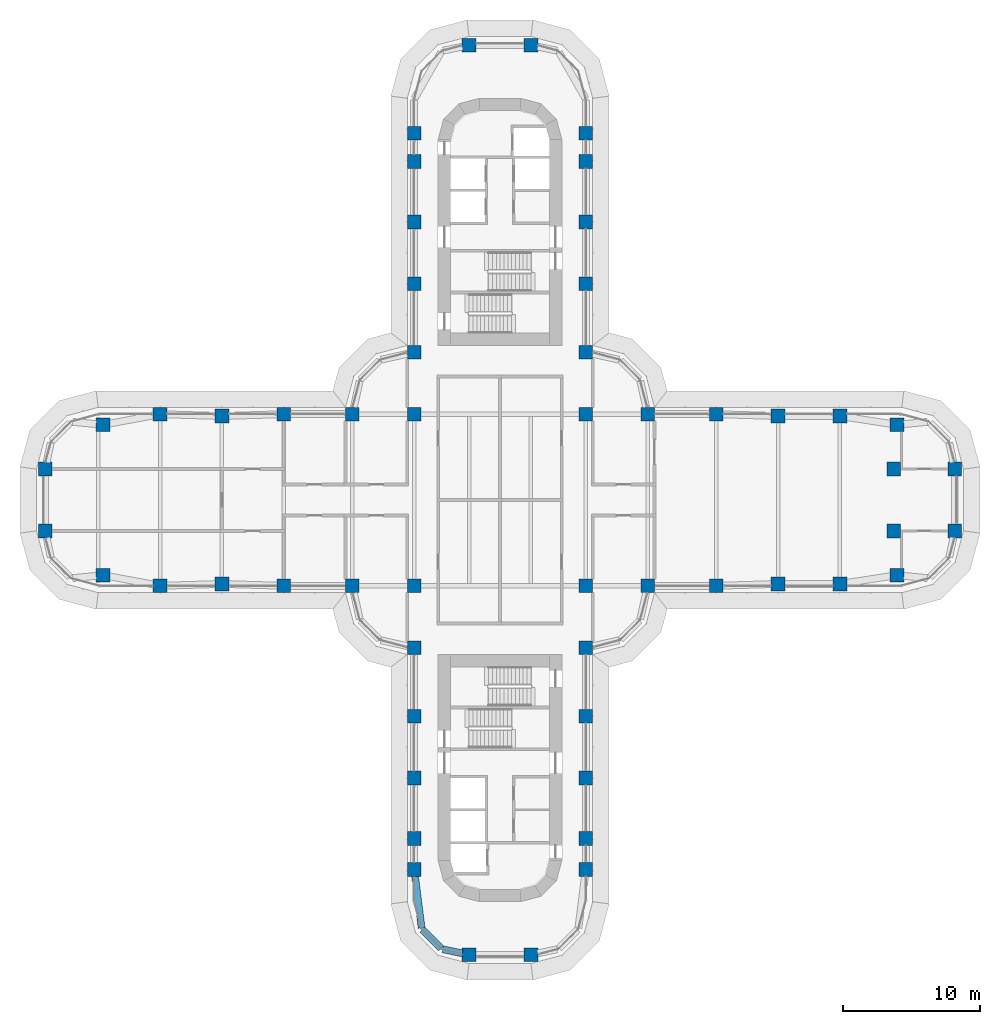
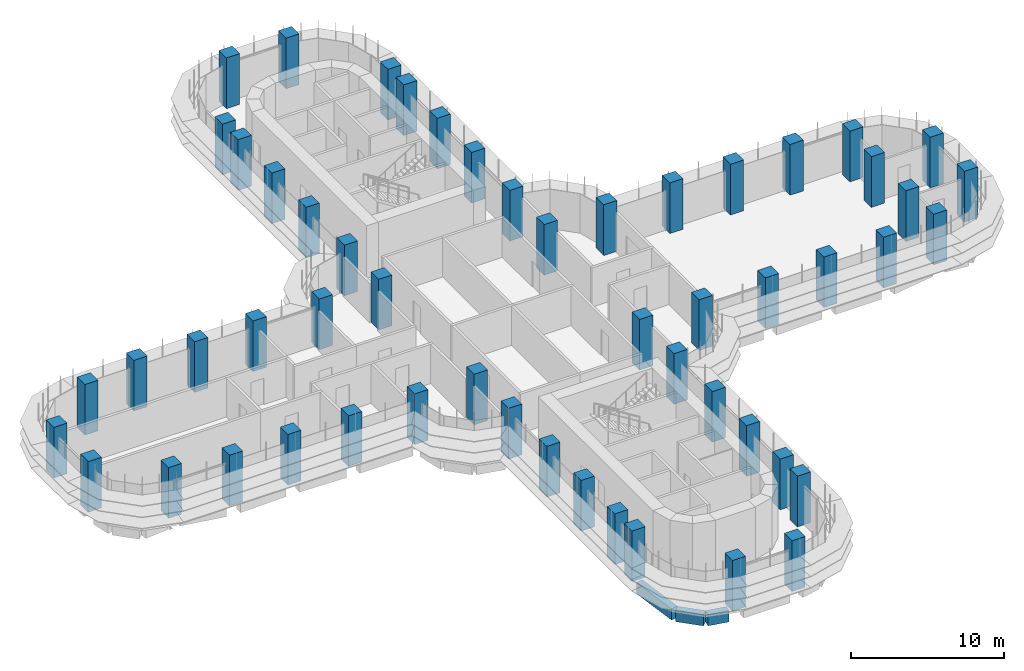
# One storey, part 1 of 23: 54 columns, 3 beams.
"""IFC4 building model written with IfcOpenShell, lengths in metres."""

import ifcopenshell
import ifcopenshell.guid

model = None  # the IFC model being written
_history = None  # IfcOwnerHistory: only IFC2X3 demands one
_inside = {}  # id of a spatial element -> (the spatial element, [elements in it])
_under = {}  # id of a project, library or spatial element -> (it, [spatial elements below it])
_declared = {}  # id of a project -> (the project, [libraries it declares])
_typed = {}  # id of a type object -> (the type object, [elements of that type])
_made_of = {}  # id of a material, layer set ... -> (it, [elements and type objects made of it])


def new_model(schema):
    """Start an empty IFC model of exactly this schema.

    Asked for "IFC4X3", IfcOpenShell would pick the latest addendum, in which some entities
    have other attributes; the version numbers below select the first issue.
    IFC2X3 requires an IfcOwnerHistory on every rooted entity: one is made here for all.
    """
    global model, _history
    if schema == "IFC4X3":
        model = ifcopenshell.file(schema_version=(4, 3, 0, 0))
    else:
        model = ifcopenshell.file(schema=schema)
    _inside.clear()
    _under.clear()
    _declared.clear()
    _typed.clear()
    _made_of.clear()
    _history = None
    if model.schema == "IFC2X3":
        org = make("IfcOrganization", Name="unknown")
        user = make(
            "IfcPersonAndOrganization",
            ThePerson=make("IfcPerson", FamilyName="unknown"),
            TheOrganization=org,
        )
        app = make(
            "IfcApplication",
            ApplicationDeveloper=org,
            Version="unknown",
            ApplicationFullName="unknown",
            ApplicationIdentifier="unknown",
        )
        _history = make(
            "IfcOwnerHistory",
            OwningUser=user,
            OwningApplication=app,
            ChangeAction="ADDED",
            CreationDate=0,
        )
    return model


def make(cls, **values):
    """One entity of the class cls with the attributes given. An attribute that is None is left unset."""
    return model.create_entity(
        cls, **{name: value for name, value in values.items() if value is not None}
    )


def rooted(cls, **values):
    """An entity with a GlobalId (a new one), such as an element, a storey or a relation."""
    return make(cls, GlobalId=ifcopenshell.guid.new(), OwnerHistory=_history, **values)


def si_unit(unit_type, name, prefix=None):
    """IfcSIUnit, for example si_unit("LENGTHUNIT", "METRE", prefix="MILLI")."""
    return make("IfcSIUnit", UnitType=unit_type, Prefix=prefix, Name=name)


def assignment(units):
    """IfcUnitAssignment: the units of a project."""
    return None if units is None else make("IfcUnitAssignment", Units=units)


def point(xyz):
    """IfcCartesianPoint."""
    return None if xyz is None else make("IfcCartesianPoint", Coordinates=xyz)


def direction(xyz):
    """IfcDirection."""
    return None if xyz is None else make("IfcDirection", DirectionRatios=xyz)


def frame(location, z_axis=None, x_axis=None):
    """IfcAxis2Placement3D, a coordinate frame: its origin and axes. An axis left out is left unset."""
    return make(
        "IfcAxis2Placement3D",
        Location=point(location),
        Axis=direction(z_axis),
        RefDirection=direction(x_axis),
    )


def frame_2d(location, x_axis=None):
    """IfcAxis2Placement2D, a coordinate frame in the plane: its origin and x axis."""
    return make(
        "IfcAxis2Placement2D", Location=point(location), RefDirection=direction(x_axis)
    )


def origin():
    """The frame at (0, 0, 0) with its axes left unset."""
    return frame((0.0, 0.0, 0.0))


def origin_2d():
    """The frame at (0, 0) in the plane with its x axis left unset."""
    return frame_2d((0.0, 0.0))


def place(relative_to, where):
    """IfcLocalPlacement: puts the frame where relative to a parent placement (None: the world)."""
    return make(
        "IfcLocalPlacement", PlacementRelTo=relative_to, RelativePlacement=where
    )


def context(
    kind, dimensions, precision=None, world=None, true_north=None, identifier=None
):
    """IfcGeometricRepresentationContext, for example the 3D "Model" context."""
    return make(
        "IfcGeometricRepresentationContext",
        ContextIdentifier=identifier,
        ContextType=kind,
        CoordinateSpaceDimension=dimensions,
        Precision=precision,
        WorldCoordinateSystem=world,
        TrueNorth=true_north,
    )


def subcontext(parent, identifier, kind, view, scale=None):
    """IfcGeometricRepresentationSubContext, for example "Body" below "Model"."""
    return make(
        "IfcGeometricRepresentationSubContext",
        ContextIdentifier=identifier,
        ContextType=kind,
        ParentContext=parent,
        TargetScale=scale,
        TargetView=view,
    )


def project(units=None, contexts=None):
    """IfcProject with its units and contexts."""
    return rooted(
        "IfcProject",
        Name="project",
        RepresentationContexts=contexts,
        UnitsInContext=assignment(units),
    )


def spatial(cls, under=None, at=None, **own):
    """A site, building, storey or space (cls), placed at a placement, below another one or the project."""
    s = rooted(cls, ObjectPlacement=at, **own)
    if under is not None:
        _under.setdefault(under.id(), (under, []))[1].append(s)
    return s


def profile(cls, at=None, kind="AREA", **sizes):
    """A parametric profile (cls). Its sizes go by their IFC names, for example OverallWidth=200.0."""
    return make(cls, ProfileType=kind, Position=at, **sizes)


def rectangle(**sizes):
    """IfcRectangleProfileDef."""
    return profile("IfcRectangleProfileDef", **sizes)


def extrude(swept, where, along, depth):
    """IfcExtrudedAreaSolid: the profile swept, set in the frame where, extruded along a direction by depth."""
    return make(
        "IfcExtrudedAreaSolid",
        SweptArea=swept,
        Position=where,
        ExtrudedDirection=direction(along),
        Depth=depth,
    )


def shape(context_of_items, identifier, shape_type, items):
    """IfcShapeRepresentation: the items that make up one representation, for example the "Body"."""
    return make(
        "IfcShapeRepresentation",
        ContextOfItems=context_of_items,
        RepresentationIdentifier=identifier,
        RepresentationType=shape_type,
        Items=items,
    )


def material(Name=None, Category=None):
    """IfcMaterial."""
    return make("IfcMaterial", Name=Name, Category=Category)


def material_profile(
    of_material, cross_section, Name=None, Category=None, Priority=None
):
    """IfcMaterialProfile: a cross section and its material."""
    return make(
        "IfcMaterialProfile",
        Name=Name,
        Material=of_material,
        Profile=cross_section,
        Priority=Priority,
        Category=Category,
    )


def profile_set(profiles, Name=None, composite=None):
    """IfcMaterialProfileSet."""
    return make(
        "IfcMaterialProfileSet",
        Name=Name,
        MaterialProfiles=profiles,
        CompositeProfile=composite,
    )


def made_of(thing, what):
    """Note that an element or type object is made of a material, layer set ...; save() writes the relation."""
    if what is not None:
        _made_of.setdefault(what.id(), (what, []))[1].append(thing)
    return thing


def type_object(cls, material=None, **own):
    """A type object (cls), such as IfcWallType, which elements share."""
    return made_of(rooted(cls, **own), material)


def element(
    cls,
    number,
    at=None,
    inside=None,
    cuts=None,
    type_object=None,
    material=None,
    context=None,
    identifier="Body",
    shape_type=None,
    held_by="IfcProductDefinitionShape",
    body=None,
    shapes=None,
    **own,
):
    """One element of the class cls, such as IfcWall. Its Tag is "e" and its number.

    at: its placement. inside: the storey or other place that contains it. cuts: it is an
    opening in that element (IfcRelVoidsElement). A single representation is given by context,
    identifier, shape_type and body (its items); several are given by shapes. held_by: the class
    of the entity that holds the representations. save() writes the other relations.
    """
    e = rooted(cls, Tag="e%d" % number, ObjectPlacement=at, **own)
    if body is not None:
        shapes = [shape(context, identifier, shape_type, body)]
    if shapes is not None:
        e.Representation = make(held_by, Representations=shapes)
    if inside is not None:
        _inside.setdefault(inside.id(), (inside, []))[1].append(e)
    if cuts is not None:
        rooted(
            "IfcRelVoidsElement", RelatingBuildingElement=cuts, RelatedOpeningElement=e
        )
    if type_object is not None:
        _typed.setdefault(type_object.id(), (type_object, []))[1].append(e)
    return made_of(e, material)


def aggregate(whole, parts):
    """IfcRelAggregates: a whole, such as a stair, and the parts it consists of."""
    return rooted("IfcRelAggregates", RelatingObject=whole, RelatedObjects=parts)


def save(model, path):
    """Write the relations noted so far, then the file.

    IfcRelAggregates (storeys below a building ...), IfcRelContainedInSpatialStructure (elements
    in a storey), IfcRelDefinesByType, IfcRelAssociatesMaterial and IfcRelDeclares: one each for
    every whole, place, type object, material and project.
    """
    for whole, parts in _under.values():
        aggregate(whole, parts)
    for where, things in _inside.values():
        rooted(
            "IfcRelContainedInSpatialStructure",
            RelatedElements=things,
            RelatingStructure=where,
        )
    for kind, things in _typed.values():
        rooted("IfcRelDefinesByType", RelatedObjects=things, RelatingType=kind)
    for what, things in _made_of.values():
        rooted("IfcRelAssociatesMaterial", RelatedObjects=things, RelatingMaterial=what)
    for by, libraries in _declared.values():
        rooted("IfcRelDeclares", RelatingContext=by, RelatedDefinitions=libraries)
    model.write(path)


model = new_model("IFC4")

# Units and contexts
model_context = context("Model", 3, precision=1e-05, world=origin(), true_north=direction((0.0, 1.0)))
body_context = subcontext(model_context, "Body", "Model", "MODEL_VIEW")
ifc_project = project(units=[si_unit("LENGTHUNIT", "METRE"), si_unit("AREAUNIT", "SQUARE_METRE"), si_unit("VOLUMEUNIT", "CUBIC_METRE"), si_unit("PLANEANGLEUNIT", "RADIAN"), si_unit("MASSUNIT", "GRAM", prefix="KILO")], contexts=[model_context])

# Site, building, storey
site_placement = place(None, origin())
site = spatial("IfcSite", under=ifc_project, at=site_placement, CompositionType="ELEMENT")
building_placement = place(site_placement, origin())
building = spatial("IfcBuilding", under=site, at=building_placement, Name="Zarbagh Exchange Tower", CompositionType="ELEMENT")
storey_placement = place(building_placement, frame((0.0, 0.0, 56.39990234375)))
storey = spatial("IfcBuildingStorey", under=building, at=storey_placement, Name="L12", CompositionType="ELEMENT", Elevation=56.39990234375)

# Columns
ifc_material = material(Name="Concrete C60/75", Category="concrete")
ifc_material_profile_1 = material_profile(ifc_material, rectangle(XDim=1.0, YDim=1.0, at=origin_2d()), Name="RC column 1000 x 1000 C60/75")
ifc_profile_set_1 = profile_set([ifc_material_profile_1], Name="Concrete C60/75")
column_type = type_object("IfcColumnType", Name="RC column 1000 x 1000 C60/75", PredefinedType="COLUMN", material=ifc_profile_set_1)
for number, where, z_axis, x_axis, name in (
    (1, (-33.110107421875, -2.25, 0.0), (0.0, 0.0, 1.0), (1.0, 0.0, 0.0), "C2 10/S"),
    (2, (-33.110107421875, 2.25, 0.0), (0.0, 0.0, 1.0), (1.0, 0.0, 0.0), "C2 10/T"),
    (3, (-28.907958984375, -5.47509765625, 0.0), (0.0, 0.0, 1.0), (1.0, 0.0, 0.0), "C2 11/R"),
    (4, (-28.907958984375, 5.47509765625, 0.0), (0.0, 0.0, 1.0), (1.0, 0.0, 0.0), "C2 11/U"),
    (5, (-24.75, -6.25, 0.0), (0.0, 0.0, 1.0), (1.0, 0.0, 0.0), "C2 12/R"),
    (6, (-24.75, 6.25, 0.0), (0.0, 0.0, 1.0), (1.0, 0.0, 0.0), "C2 12/U"),
    (7, (-20.25, -6.110107421875, 0.0), (0.0, 0.0, 1.0), (1.0, 0.0, 0.0), "C2 13/R"),
    (8, (-20.25, 6.110107421875, 0.0), (0.0, 0.0, 1.0), (1.0, 0.0, 0.0), "C2 13/U"),
    (9, (-15.75, -6.25, 0.0), (0.0, 0.0, 1.0), (1.0, 0.0, 0.0), "C2 14/R"),
    (10, (-15.75, 6.25, 0.0), (0.0, 0.0, 1.0), (1.0, 0.0, 0.0), "C2 14/U"),
    (11, (-10.75, -6.25, 0.0), (0.0, 0.0, 1.0), (1.0, 0.0, 0.0), "C2 15/R"),
    (12, (-10.75, 6.25, 0.0), (0.0, 0.0, 1.0), (1.0, 0.0, 0.0), "C2 15/U"),
    (13, (-6.25, -26.89990234375, 0.0), (0.0, 0.0, 1.0), (1.0, 0.0, 0.0), "C2 16/L"),
    (14, (-6.25, -24.64990234375, 0.0), (0.0, 0.0, 1.0), (1.0, 0.0, 0.0), "C2 16/M"),
    (15, (-6.25, -20.25, 0.0), (0.0, 0.0, 1.0), (1.0, 0.0, 0.0), "C2 16/N"),
    (16, (-6.25, -15.75, 0.0), (0.0, 0.0, 1.0), (1.0, 0.0, 0.0), "C2 16/P"),
    (17, (-6.25, -10.75, 0.0), (0.0, 0.0, 1.0), (1.0, 0.0, 0.0), "C2 16/Q"),
    (18, (-6.25, -6.25, 0.0), (0.0, 0.0, 1.0), (1.0, 0.0, 0.0), "C2 16/R"),
    (19, (-6.25, 6.25, 0.0), (0.0, 0.0, 1.0), (1.0, 0.0, 0.0), "C2 16/U"),
    (20, (-6.25, 10.75, 0.0), (0.0, 0.0, 1.0), (1.0, 0.0, 0.0), "C2 16/V"),
    (21, (-6.25, 15.75, 0.0), (0.0, 0.0, 1.0), (1.0, 0.0, 0.0), "C2 16/W"),
    (22, (-6.25, 20.25, 0.0), (0.0, 0.0, 1.0), (1.0, 0.0, 0.0), "C2 16/X"),
    (23, (-6.25, 24.64990234375, 0.0), (0.0, 0.0, 1.0), (1.0, 0.0, 0.0), "C2 16/Y"),
    (24, (-6.25, 26.699951171875, 0.0), (0.0, 0.0, 1.0), (1.0, 0.0, 0.0), "C2 16/Z"),
    (25, (-2.25, -33.110107421875, 0.0), (0.0, 0.0, 1.0), (1.0, 0.0, 0.0), "C2 17/K"),
    (26, (-2.25, 33.110107421875, 0.0), (0.0, 0.0, 1.0), (1.0, 0.0, 0.0), "C2 17/AA"),
    (27, (2.25, -33.110107421875, 0.0), (0.0, 0.0, 1.0), (1.0, 0.0, 0.0), "C2 18/K"),
    (28, (2.25, 33.110107421875, 0.0), (0.0, 0.0, 1.0), (1.0, 0.0, 0.0), "C2 18/AA"),
    (29, (6.25, -26.89990234375, 0.0), (0.0, 0.0, 1.0), (1.0, 0.0, 0.0), "C2 19/L"),
    (30, (6.25, -24.64990234375, 0.0), (0.0, 0.0, 1.0), (1.0, 0.0, 0.0), "C2 19/M"),
    (31, (6.25, -20.25, 0.0), (0.0, 0.0, 1.0), (1.0, 0.0, 0.0), "C2 19/N"),
    (32, (6.25, -15.75, 0.0), (0.0, 0.0, 1.0), (1.0, 0.0, 0.0), "C2 19/P"),
    (33, (6.25, -10.75, 0.0), (0.0, 0.0, 1.0), (1.0, 0.0, 0.0), "C2 19/Q"),
    (34, (6.25, -6.25, 0.0), (0.0, 0.0, 1.0), (1.0, 0.0, 0.0), "C2 19/R"),
    (35, (6.25, 6.25, 0.0), (0.0, 0.0, 1.0), (1.0, 0.0, 0.0), "C2 19/U"),
    (36, (6.25, 10.75, 0.0), (0.0, 0.0, 1.0), (1.0, 0.0, 0.0), "C2 19/V"),
    (37, (6.25, 15.75, 0.0), (0.0, 0.0, 1.0), (1.0, 0.0, 0.0), "C2 19/W"),
    (38, (6.25, 20.25, 0.0), (0.0, 0.0, 1.0), (1.0, 0.0, 0.0), "C2 19/X"),
    (39, (6.25, 24.64990234375, 0.0), (0.0, 0.0, 1.0), (1.0, 0.0, 0.0), "C2 19/Y"),
    (40, (6.25, 26.699951171875, 0.0), (0.0, 0.0, 1.0), (1.0, 0.0, 0.0), "C2 19/Z"),
    (41, (10.75, -6.25, 0.0), (0.0, 0.0, 1.0), (1.0, 0.0, 0.0), "C2 20/R"),
    (42, (10.75, 6.25, 0.0), (0.0, 0.0, 1.0), (1.0, 0.0, 0.0), "C2 20/U"),
    (43, (15.75, -6.25, 0.0), (0.0, 0.0, 1.0), (1.0, 0.0, 0.0), "C2 21/R"),
    (44, (15.75, 6.25, 0.0), (0.0, 0.0, 1.0), (1.0, 0.0, 0.0), "C2 21/U"),
    (45, (20.25, -6.110107421875, 0.0), (0.0, 0.0, 1.0), (1.0, 0.0, 0.0), "C2 22/R"),
    (46, (20.25, 6.110107421875, 0.0), (0.0, 0.0, 1.0), (1.0, 0.0, 0.0), "C2 22/U"),
    (47, (24.75, -6.110107421875, 0.0), (0.0, 0.0, 1.0), (1.0, 0.0, 0.0), "C2 23/R"),
    (48, (24.75, 6.110107421875, 0.0), (0.0, 0.0, 1.0), (1.0, 0.0, 0.0), "C2 23/U"),
    (49, (28.907958984375, -5.47509765625, 0.0), (0.0, 0.0, 1.0), (1.0, 0.0, 0.0), "C2 24/R"),
    (50, (28.669921875, -2.25, 0.0), (0.0, 0.0, 1.0), (1.0, 0.0, 0.0), "C2 24/S"),
    (51, (28.669921875, 2.25, 0.0), (0.0, 0.0, 1.0), (1.0, 0.0, 0.0), "C2 24/T"),
    (52, (28.907958984375, 5.47509765625, 0.0), (0.0, 0.0, 1.0), (1.0, 0.0, 0.0), "C2 24/U"),
    (53, (33.110107421875, -2.25, 0.0), (0.0, 0.0, 1.0), (1.0, 0.0, 0.0), "C2 25/S"),
    (54, (33.110107421875, 2.25, 0.0), (0.0, 0.0, 1.0), (1.0, 0.0, 0.0), "C2 25/T"),
):
    element("IfcColumn", number, at=place(storey_placement, frame(where, z_axis=z_axis, x_axis=x_axis)), inside=storey, type_object=column_type, Name=name, PredefinedType="COLUMN", context=body_context, shape_type="SweptSolid", body=[
        extrude(rectangle(XDim=1.0, YDim=1.0, at=origin_2d()), origin(), (0.0, 0.0, 1.0), 4.050048828125),
    ])

# Beams
ifc_material_profile_2 = material_profile(ifc_material, rectangle(XDim=0.5, YDim=0.89990234375, at=origin_2d()), Name="RC spandrel beam 500 x 900 C60/75")
ifc_profile_set_2 = profile_set([ifc_material_profile_2], Name="Concrete C60/75")
beam_type = type_object("IfcBeamType", Name="RC spandrel beam 500 x 900 C60/75", PredefinedType="SPANDREL", material=ifc_profile_set_2)
beam_1_placement = place(storey_placement, frame((-2.73974609375, -33.0087890625, -0.599853515625), z_axis=(-0.9793713725, 0.202068589164, 0.0), x_axis=(-0.202068589164, -0.9793713725, 0.0)))
element("IfcBeam", 55, at=beam_1_placement, inside=storey, type_object=beam_type, Name="RC spandrel beam", PredefinedType="SPANDREL", context=body_context, shape_type="SweptSolid", body=[
    extrude(rectangle(XDim=0.5, YDim=0.89990234375, at=origin_2d()), origin(), (0.0, 0.0, 1.0), 1.458251953125),
])
beam_2_placement = place(storey_placement, frame((-4.294189453125, -32.64599609375, -0.599853515625), z_axis=(-0.707042571718, 0.707170984825, 0.0), x_axis=(-0.707170984825, -0.707042571718, 0.0)))
element("IfcBeam", 56, at=beam_2_placement, inside=storey, type_object=beam_type, Name="RC spandrel beam", PredefinedType="SPANDREL", context=body_context, shape_type="SweptSolid", body=[
    extrude(rectangle(XDim=0.5, YDim=0.89990234375, at=origin_2d()), origin(), (0.0, 0.0, 1.0), 1.901123046875),
])
beam_3_placement = place(storey_placement, frame((-5.709716796875, -31.156494140625, -0.599853515625), z_axis=(-0.12591317752, 0.992041265133, 0.0), x_axis=(-0.992041265133, -0.12591317752, 0.0)))
element("IfcBeam", 57, at=beam_3_placement, inside=storey, type_object=beam_type, Name="RC spandrel beam", PredefinedType="SPANDREL", context=body_context, shape_type="SweptSolid", body=[
    extrude(rectangle(XDim=0.5, YDim=0.89990234375, at=origin_2d()), origin(), (0.0, 0.0, 1.0), 3.790771484375),
])

save(model, "model.ifc")
